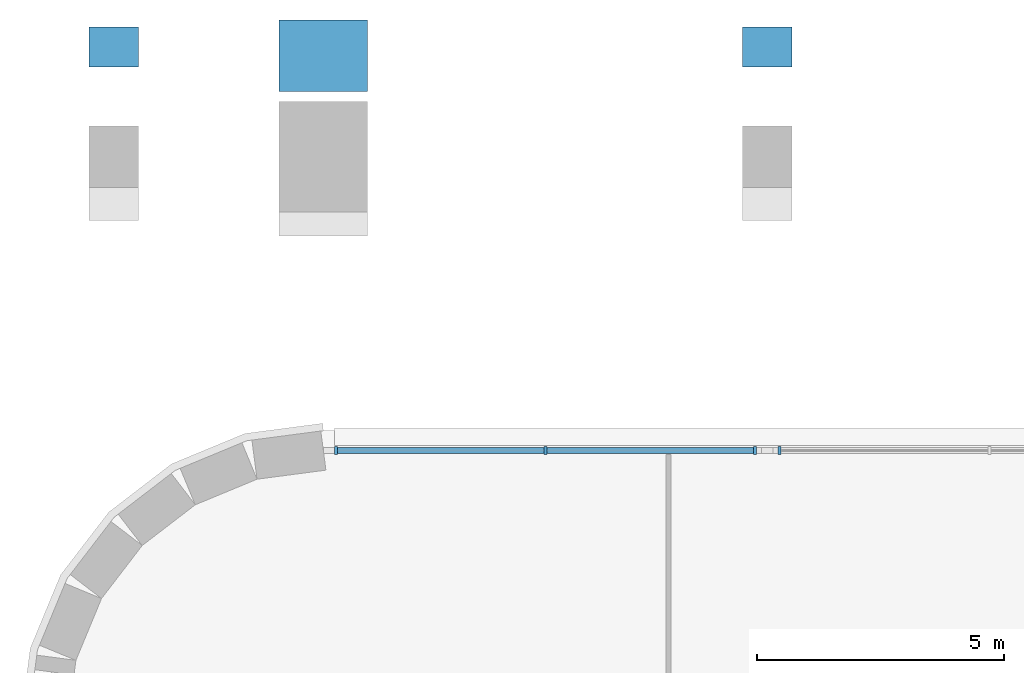
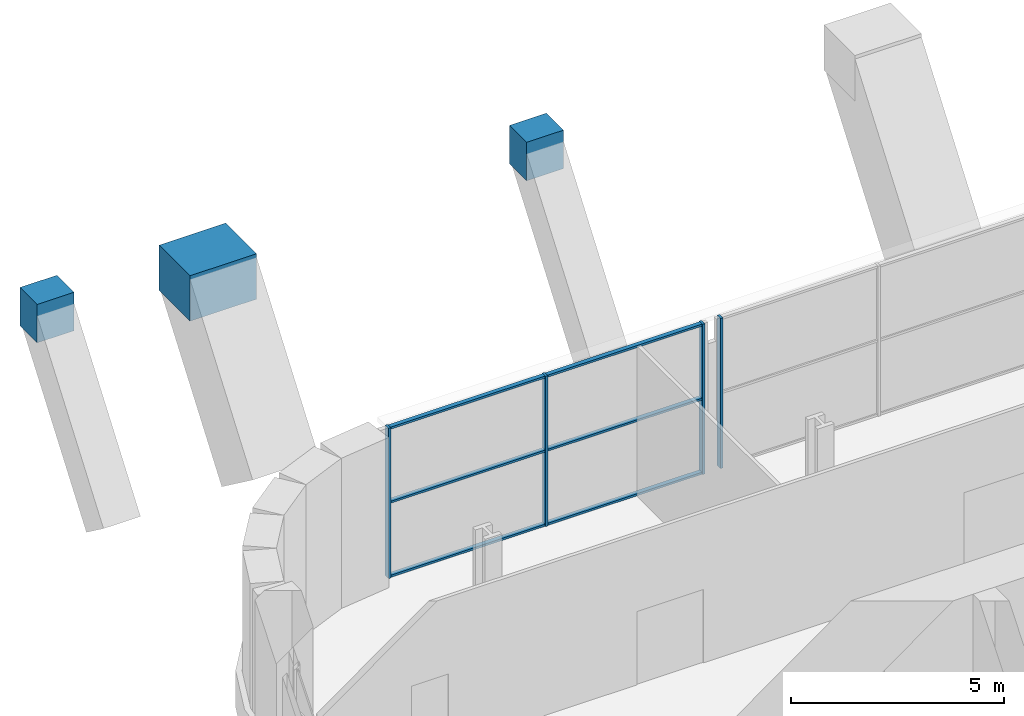
# One storey, part 8 of 24: 10 members, 3 beams, 2 elements without a shape of their own.
"""IFC4 building model written with IfcOpenShell, lengths in metres."""

from ifc_helpers import new_model, si_unit, direction, frame, origin, origin_2d, place, context, subcontext, project, spatial, rectangle, extrude, material, material_profile, profile_set, type_object, element, aggregate, save


model = new_model("IFC4")

# Units and contexts
model_context = context("Model", 3, precision=1e-05, world=origin(), true_north=direction((0.0, 1.0)))
body_context = subcontext(model_context, "Body", "Model", "MODEL_VIEW")
ifc_project = project(units=[si_unit("LENGTHUNIT", "METRE"), si_unit("AREAUNIT", "SQUARE_METRE"), si_unit("VOLUMEUNIT", "CUBIC_METRE"), si_unit("PLANEANGLEUNIT", "RADIAN"), si_unit("MASSUNIT", "GRAM", prefix="KILO")], contexts=[model_context])

# Site, building, storey
site_placement = place(None, origin())
site = spatial("IfcSite", under=ifc_project, at=site_placement, CompositionType="ELEMENT")
building_placement = place(site_placement, origin())
building = spatial("IfcBuilding", under=site, at=building_placement, Name="Zellij Exchange Tower", CompositionType="ELEMENT")
storey_placement = place(building_placement, frame((0.0, 0.0, 48.0)))
storey = spatial("IfcBuildingStorey", under=building, at=storey_placement, Name="L08", CompositionType="ELEMENT", Elevation=48.0)

# Curtain wall, member
ifc_material_1 = material(Name="Aluminium frame, clear insulating glass", Category="aluminium")
curtain_wall_type = type_object("IfcCurtainWallType", Name="ENV-CW1 Sky-garden glazing", PredefinedType="NOTDEFINED", material=ifc_material_1)
curtain_wall_1_placement = place(storey_placement, origin())
curtain_wall_1 = element("IfcCurtainWall", 1, at=curtain_wall_1_placement, inside=storey, type_object=curtain_wall_type, Name="cw.L08.14c.a", PredefinedType="NOTDEFINED")
ifc_material_2 = material(Name="Aluminium", Category="aluminium")
ifc_material_profile_1 = material_profile(ifc_material_2, rectangle(XDim=0.06005859375, YDim=0.159912109375, at=origin_2d()), Name="AL 60x160")
ifc_profile_set_1 = profile_set([ifc_material_profile_1], Name="Aluminium")
member_type_1 = type_object("IfcMemberType", Name="ENV-CW1M Mullion 60x160", PredefinedType="MULLION", material=ifc_profile_set_1)
member_1_placement = place(storey_placement, frame((-17.75537109375, 9.60009765625, 0.0), z_axis=(0.0, 0.0, 1.0), x_axis=(-1.0, 0.0, 0.0)))
member_1 = element("IfcMember", 2, at=member_1_placement, type_object=member_type_1, Name="CW1 mullion 3", PredefinedType="MULLION", context=body_context, shape_type="SweptSolid", body=[
    extrude(rectangle(XDim=0.06005859375, YDim=0.159912109375, at=origin_2d()), origin(), (0.0, 0.0, 1.0), 4.300048828125),
])
aggregate(curtain_wall_1, [member_1])

# Curtain wall, members
curtain_wall_2_placement = place(storey_placement, origin())
curtain_wall_2 = element("IfcCurtainWall", 3, at=curtain_wall_2_placement, inside=storey, type_object=curtain_wall_type, Name="cw.L08.14c.b", PredefinedType="NOTDEFINED")
member_2_placement = place(storey_placement, frame((-18.24462890625, 9.60009765625, 0.0), z_axis=(0.0, 0.0, 1.0), x_axis=(-1.0, 0.0, 0.0)))
member_2 = element("IfcMember", 4, at=member_2_placement, type_object=member_type_1, Name="CW1 mullion 1", PredefinedType="MULLION", context=body_context, shape_type="SweptSolid", body=[
    extrude(rectangle(XDim=0.06005859375, YDim=0.159912109375, at=origin_2d()), origin(), (0.0, 0.0, 1.0), 4.300048828125),
])
member_3_placement = place(storey_placement, frame((-22.494140625, 9.60009765625, 0.0), z_axis=(0.0, 0.0, 1.0), x_axis=(-1.0, 0.0, 0.0)))
member_3 = element("IfcMember", 5, at=member_3_placement, type_object=member_type_1, Name="CW1 mullion 2", PredefinedType="MULLION", context=body_context, shape_type="SweptSolid", body=[
    extrude(rectangle(XDim=0.06005859375, YDim=0.159912109375, at=origin_2d()), origin(), (0.0, 0.0, 1.0), 4.300048828125),
])
member_4_placement = place(storey_placement, frame((-26.743896484375, 9.60009765625, 0.0), z_axis=(0.0, 0.0, 1.0), x_axis=(-1.0, 0.0, 0.0)))
member_4 = element("IfcMember", 6, at=member_4_placement, type_object=member_type_1, Name="CW1 mullion 3", PredefinedType="MULLION", context=body_context, shape_type="SweptSolid", body=[
    extrude(rectangle(XDim=0.06005859375, YDim=0.159912109375, at=origin_2d()), origin(), (0.0, 0.0, 1.0), 4.300048828125),
])
ifc_material_profile_2 = material_profile(ifc_material_2, rectangle(XDim=0.1201171875, YDim=0.06005859375, at=origin_2d()), Name="AL 120x60")
ifc_profile_set_2 = profile_set([ifc_material_profile_2], Name="Aluminium")
member_type_2 = type_object("IfcMemberType", Name="ENV-CW1T Transom 120x60", PredefinedType="USERDEFINED", material=ifc_profile_set_2)
member_5_placement = place(storey_placement, frame((-18.274658203125, 9.60009765625, 0.030029296875), z_axis=(-1.0, 0.0, 0.0), x_axis=(0.0, -1.0, 0.0)))
member_5 = element("IfcMember", 7, at=member_5_placement, type_object=member_type_2, Name="CW1 transom 1.1", ObjectType="TRANSOM", PredefinedType="USERDEFINED", context=body_context, shape_type="SweptSolid", body=[
    extrude(rectangle(XDim=0.1201171875, YDim=0.06005859375, at=origin_2d()), origin(), (0.0, 0.0, 1.0), 4.189453125),
])
member_6_placement = place(storey_placement, frame((-18.274658203125, 9.60009765625, 2.14990234375), z_axis=(-1.0, 0.0, 0.0), x_axis=(0.0, -1.0, 0.0)))
member_6 = element("IfcMember", 8, at=member_6_placement, type_object=member_type_2, Name="CW1 transom 1.2", ObjectType="TRANSOM", PredefinedType="USERDEFINED", context=body_context, shape_type="SweptSolid", body=[
    extrude(rectangle(XDim=0.1201171875, YDim=0.06005859375, at=origin_2d()), origin(), (0.0, 0.0, 1.0), 4.189453125),
])
member_7_placement = place(storey_placement, frame((-18.274658203125, 9.60009765625, 4.27001953125), z_axis=(-1.0, 0.0, 0.0), x_axis=(0.0, -1.0, 0.0)))
member_7 = element("IfcMember", 9, at=member_7_placement, type_object=member_type_2, Name="CW1 transom 1.3", ObjectType="TRANSOM", PredefinedType="USERDEFINED", context=body_context, shape_type="SweptSolid", body=[
    extrude(rectangle(XDim=0.1201171875, YDim=0.06005859375, at=origin_2d()), origin(), (0.0, 0.0, 1.0), 4.189453125),
])
member_8_placement = place(storey_placement, frame((-22.524169921875, 9.60009765625, 0.030029296875), z_axis=(-1.0, 0.0, 0.0), x_axis=(0.0, -1.0, 0.0)))
member_8 = element("IfcMember", 10, at=member_8_placement, type_object=member_type_2, Name="CW1 transom 2.1", ObjectType="TRANSOM", PredefinedType="USERDEFINED", context=body_context, shape_type="SweptSolid", body=[
    extrude(rectangle(XDim=0.1201171875, YDim=0.06005859375, at=origin_2d()), origin(), (0.0, 0.0, 1.0), 4.189697265625),
])
member_9_placement = place(storey_placement, frame((-22.524169921875, 9.60009765625, 2.14990234375), z_axis=(-1.0, 0.0, 0.0), x_axis=(0.0, -1.0, 0.0)))
member_9 = element("IfcMember", 11, at=member_9_placement, type_object=member_type_2, Name="CW1 transom 2.2", ObjectType="TRANSOM", PredefinedType="USERDEFINED", context=body_context, shape_type="SweptSolid", body=[
    extrude(rectangle(XDim=0.1201171875, YDim=0.06005859375, at=origin_2d()), origin(), (0.0, 0.0, 1.0), 4.189697265625),
])
member_10_placement = place(storey_placement, frame((-22.524169921875, 9.60009765625, 4.27001953125), z_axis=(-1.0, 0.0, 0.0), x_axis=(0.0, -1.0, 0.0)))
member_10 = element("IfcMember", 12, at=member_10_placement, type_object=member_type_2, Name="CW1 transom 2.3", ObjectType="TRANSOM", PredefinedType="USERDEFINED", context=body_context, shape_type="SweptSolid", body=[
    extrude(rectangle(XDim=0.1201171875, YDim=0.06005859375, at=origin_2d()), origin(), (0.0, 0.0, 1.0), 4.189697265625),
])
aggregate(curtain_wall_2, [member_2, member_3, member_4, member_5, member_6, member_7, member_8, member_9, member_10])

# Beams
ifc_material_3 = material(Name="Concrete C70/85", Category="concrete")
ifc_material_profile_3 = material_profile(ifc_material_3, rectangle(XDim=1.0, YDim=1.10009765625, at=origin_2d()), Name="STR-KNUCKLE BLOCK RC1000x1100 C70/85")
ifc_profile_set_3 = profile_set([ifc_material_profile_3], Name="Concrete C70/85")
beam_type_1 = type_object("IfcBeamType", Name="STR-KNUCKLE BLOCK RC1000x1100 C70/85", PredefinedType="BEAM", material=ifc_profile_set_3)
for number, where, z_axis, x_axis, name in (
    (13, (-31.25, 17.377685546875, 4.27490234375), (0.0, 1.0, 0.0), (-1.0, 0.0, 0.0), "KB4"),
    (14, (-18.0, 17.377685546875, 4.27490234375), (0.0, 1.0, 0.0), (-1.0, 0.0, 0.0), "KB4"),
):
    element("IfcBeam", number, at=place(storey_placement, frame(where, z_axis=z_axis, x_axis=x_axis)), inside=storey, type_object=beam_type_1, Name=name, PredefinedType="BEAM", context=body_context, shape_type="SweptSolid", body=[
        extrude(rectangle(XDim=1.0, YDim=1.10009765625, at=origin_2d()), origin(), (0.0, 0.0, 1.0), 0.8037109375),
    ])
ifc_material_profile_4 = material_profile(ifc_material_3, rectangle(XDim=1.800048828125, YDim=1.300048828125, at=origin_2d()), Name="STR-KNUCKLE BLOCK RC1800x1300 C70/85")
ifc_profile_set_4 = profile_set([ifc_material_profile_4], Name="Concrete C70/85")
beam_type_2 = type_object("IfcBeamType", Name="STR-KNUCKLE BLOCK RC1800x1300 C70/85", PredefinedType="BEAM", material=ifc_profile_set_4)
beam_placement = place(storey_placement, frame((-27.0, 16.8798828125, 3.949951171875), z_axis=(0.0, 1.0, 0.0), x_axis=(-1.0, 0.0, 0.0)))
element("IfcBeam", 15, at=beam_placement, inside=storey, type_object=beam_type_2, Name="KB9", PredefinedType="BEAM", context=body_context, shape_type="SweptSolid", body=[
    extrude(rectangle(XDim=1.800048828125, YDim=1.300048828125, at=origin_2d()), origin(), (0.0, 0.0, 1.0), 1.446533203125),
])

save(model, "model.ifc")
